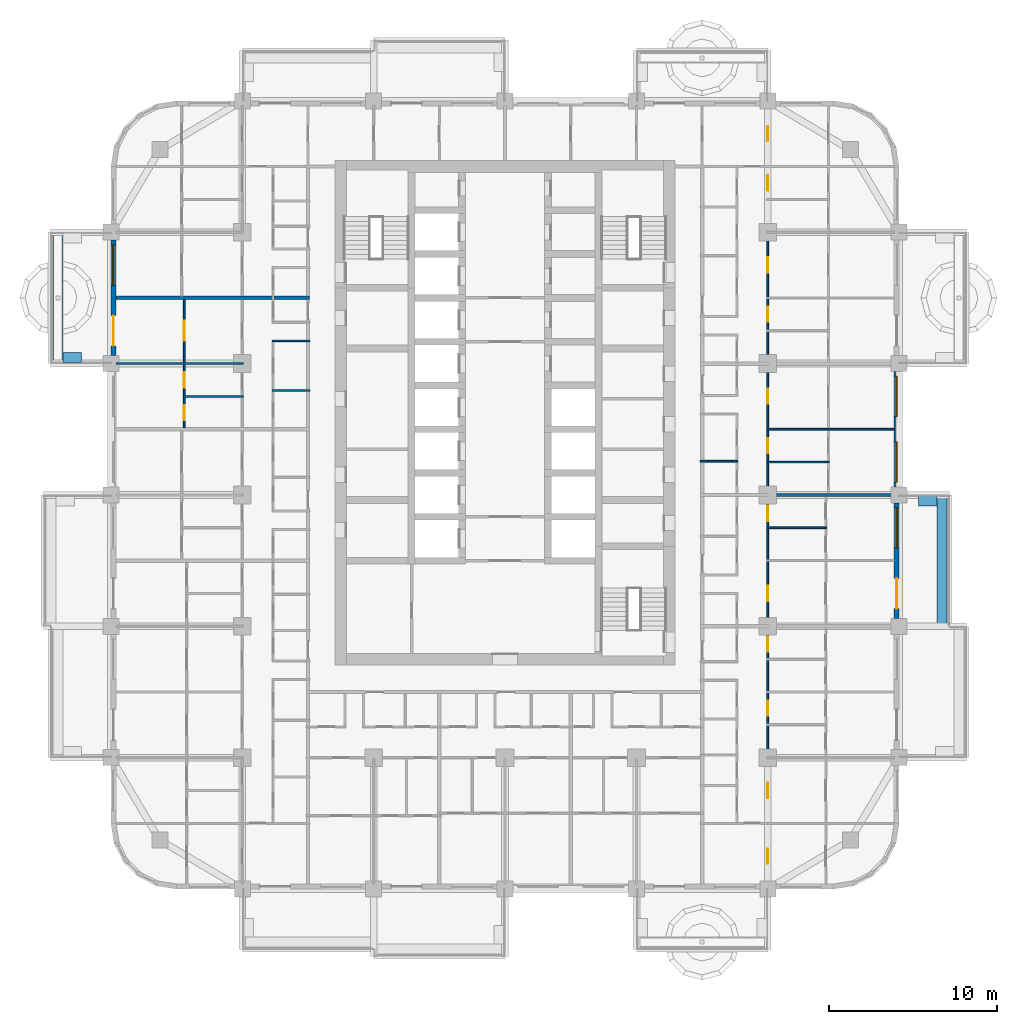
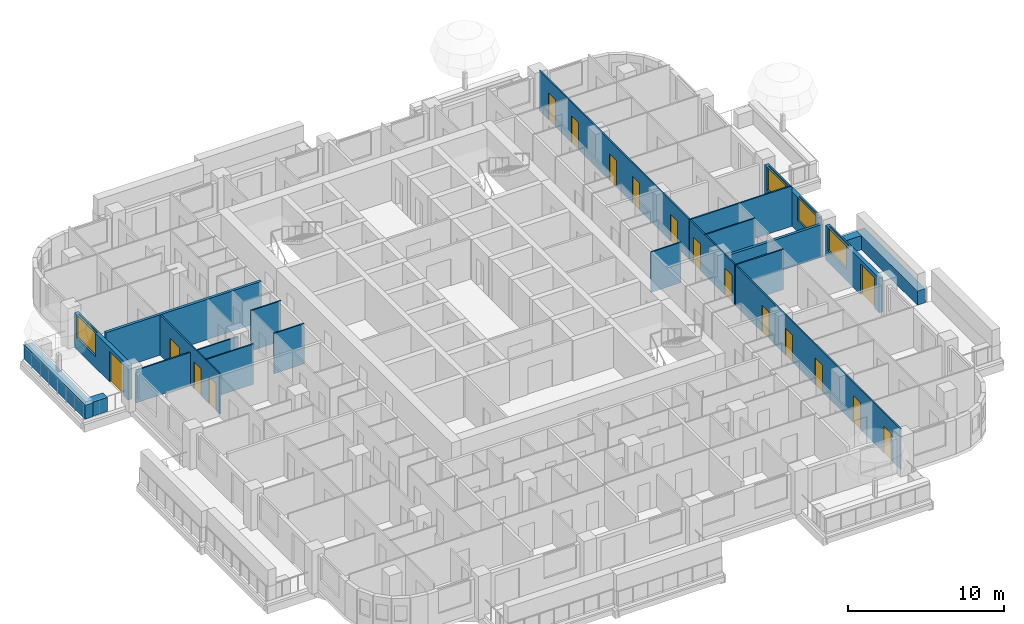
# One storey, part 9 of 19: 19 walls, 17 doors, 4 windows, 21 openings.
"""IFC4 building model written with IfcOpenShell, lengths in metres."""

from ifc_helpers import new_model, si_unit, direction, frame, frame_2d, origin, place, context, subcontext, project, spatial, rectangle, extrude, material, layer, layer_set, type_object, element, fill, save


model = new_model("IFC4")

# Units and contexts
model_context = context("Model", 3, precision=1e-05, world=origin(), true_north=direction((0.0, 1.0)))
body_context = subcontext(model_context, "Body", "Model", "MODEL_VIEW")
ifc_project = project(units=[si_unit("LENGTHUNIT", "METRE"), si_unit("AREAUNIT", "SQUARE_METRE"), si_unit("VOLUMEUNIT", "CUBIC_METRE"), si_unit("PLANEANGLEUNIT", "RADIAN"), si_unit("MASSUNIT", "GRAM", prefix="KILO")], contexts=[model_context])

# Site, building, storey
site_placement = place(None, origin())
site = spatial("IfcSite", under=ifc_project, at=site_placement, CompositionType="ELEMENT")
building_placement = place(site_placement, origin())
building = spatial("IfcBuilding", under=site, at=building_placement, Name="Ludao Terraces", CompositionType="ELEMENT")
storey_placement = place(building_placement, frame((0.0, 0.0, 68.199951171875)))
storey = spatial("IfcBuildingStorey", under=building, at=storey_placement, Name="L18", CompositionType="ELEMENT", Elevation=68.199951171875)

# Walls
ifc_material_1 = material(Name="Concrete C40", Category="concrete")
ifc_layer_1 = layer(ifc_material_1, 0.60009765625)
ifc_layer_set_1 = layer_set([ifc_layer_1], Name="ENV Planter trough 600")
wall_type_1 = type_object("IfcWallType", Name="ENV Planter trough 600", PredefinedType="USERDEFINED", material=ifc_layer_set_1)
wall_1_placement = place(storey_placement, frame((110.949951171875, 57.199951171875, 0.0), z_axis=(0.0, 0.0, 1.0), x_axis=(0.0, 1.0, 0.0)))
element("IfcWall", 1, at=wall_1_placement, inside=storey, type_object=wall_type_1, Name="PL-L18-E2", ObjectType="PLANTER", PredefinedType="USERDEFINED", context=body_context, shape_type="SweptSolid", body=[
    extrude(rectangle(XDim=7.800048828125, YDim=0.60009765625, at=frame_2d((3.89990234375, 0.0))), origin(), (0.0, 0.0, 1.0), 1.10009765625),
])
wall_2_placement = place(storey_placement, frame((110.64990234375, 64.64990234375, 0.0), z_axis=(0.0, 0.0, 1.0), x_axis=(-1.0, 0.0, 0.0)))
element("IfcWall", 2, at=wall_2_placement, inside=storey, type_object=wall_type_1, Name="PL-L18-E2-SB", ObjectType="PLANTER", PredefinedType="USERDEFINED", context=body_context, shape_type="SweptSolid", body=[
    extrude(rectangle(XDim=1.099853515625, YDim=0.60009765625, at=frame_2d((0.5498046875, 0.0))), origin(), (0.0, 0.0, 1.0), 1.10009765625),
])
wall_3_placement = place(storey_placement, frame((58.449951171875, 72.800048828125, 0.0), z_axis=(0.0, 0.0, 1.0), x_axis=(0.0, 1.0, 0.0)))
element("IfcWall", 3, at=wall_3_placement, inside=storey, type_object=wall_type_1, Name="PL-L18-W4", ObjectType="PLANTER", PredefinedType="USERDEFINED", context=body_context, shape_type="SweptSolid", body=[
    extrude(rectangle(XDim=7.800048828125, YDim=0.60009765625, at=frame_2d((3.89990234375, 0.0))), origin(), (0.0, 0.0, 1.0), 1.10009765625),
])
wall_4_placement = place(storey_placement, frame((58.75, 73.14990234375, 0.0), z_axis=(0.0, 0.0, 1.0), x_axis=(1.0, 0.0, 0.0)))
element("IfcWall", 4, at=wall_4_placement, inside=storey, type_object=wall_type_1, Name="PL-L18-W4-SA", ObjectType="PLANTER", PredefinedType="USERDEFINED", context=body_context, shape_type="SweptSolid", body=[
    extrude(rectangle(XDim=1.10009765625, YDim=0.60009765625, at=frame_2d((0.550048828125, 0.0))), origin(), (0.0, 0.0, 1.0), 1.10009765625),
])

# Wall, openings, door, window
ifc_material_2 = material(Name="Granite cladding", Category="masonry")
ifc_layer_2 = layer(ifc_material_2, 0.0400390625, Category="stone")
ifc_material_3 = material(Name="Mineral wool")
ifc_layer_3 = layer(ifc_material_3, 0.06005859375)
ifc_layer_4 = layer(ifc_material_1, 0.199951171875, Category="concrete")
ifc_layer_set_2 = layer_set([ifc_layer_2, ifc_layer_3, ifc_layer_4], Name="ENV Stone-clad wall 300")
wall_type_2 = type_object("IfcWallType", Name="ENV Stone-clad wall 300", PredefinedType="SOLIDWALL", material=ifc_layer_set_2)
wall_5_placement = place(storey_placement, frame((108.25, 57.675048828125, 0.0), z_axis=(0.0, 0.0, 1.0), x_axis=(0.0, 1.0, 0.0)))
wall_5 = element("IfcWall", 5, at=wall_5_placement, inside=storey, type_object=wall_type_2, Name="EW-L18-E3", PredefinedType="SOLIDWALL", context=body_context, shape_type="SweptSolid", body=[
    extrude(rectangle(XDim=6.849853515625, YDim=0.300048828125, at=frame_2d((3.4248046875, 0.0))), origin(), (0.0, 0.0, 1.0), 2.699951171875),
])
opening_1_placement = place(wall_5_placement, frame((0.574951171875, 0.0, 0.0)))
opening_1 = element("IfcOpeningElement", 6, at=opening_1_placement, cuts=wall_5, Name="Opening BD", PredefinedType="OPENING", context=body_context, shape_type="SweptSolid", body=[
    extrude(rectangle(XDim=1.800048828125, YDim=2.39990234375, at=frame_2d((0.89990234375, 1.199951171875))), frame((0.0, 0.16015625, 0.0), z_axis=(0.0, -1.0, 0.0), x_axis=(1.0, 0.0, 0.0)), (0.0, 0.0, 1.0), 0.320068359375),
])
opening_2_placement = place(wall_5_placement, frame((4.175048828125, 0.0, 0.89990234375)))
opening_2 = element("IfcOpeningElement", 7, at=opening_2_placement, cuts=wall_5, Name="Opening W1", PredefinedType="OPENING", context=body_context, shape_type="SweptSolid", body=[
    extrude(rectangle(XDim=2.39990234375, YDim=1.800048828125, at=frame_2d((1.199951171875, 0.89990234375))), frame((0.0, 0.16015625, 0.0), z_axis=(0.0, -1.0, 0.0), x_axis=(1.0, 0.0, 0.0)), (0.0, 0.0, 1.0), 0.320068359375),
])
ifc_material_4 = material(Name="Aluminium glazed door", Category="aluminium")
ifc_layer_5 = layer(ifc_material_4, 0.06005859375)
ifc_layer_set_3 = layer_set([ifc_layer_5], Name="ENV Balcony door BD 1800x2400")
door_type_1 = type_object("IfcDoorType", Name="ENV Balcony door BD 1800x2400", OperationType="DOUBLE_DOOR_SINGLE_SWING", PredefinedType="DOOR", material=ifc_layer_set_3)
door_1_placement = place(opening_1_placement, origin())
door_1 = element("IfcDoor", 8, at=door_1_placement, inside=storey, type_object=door_type_1, Name="BD-L18-E3-1", OperationType="DOUBLE_DOOR_SINGLE_SWING", OverallHeight=2.39990234375, OverallWidth=1.800048828125, PredefinedType="DOOR", context=body_context, shape_type="SweptSolid", body=[
    extrude(rectangle(XDim=1.800048828125, YDim=2.39990234375, at=frame_2d((0.89990234375, 1.199951171875))), frame((0.0, 0.02490234375, 0.0), z_axis=(0.0, -1.0, 0.0), x_axis=(1.0, 0.0, 0.0)), (0.0, 0.0, 1.0), 0.050048828125),
])
fill(opening_1, door_1)
ifc_material_5 = material(Name="Clear glass in aluminium frame", Category="aluminium")
ifc_layer_6 = layer(ifc_material_5, 0.06005859375)
ifc_layer_set_4 = layer_set([ifc_layer_6], Name="ENV Window W1 2400x1800")
window_type = type_object("IfcWindowType", Name="ENV Window W1 2400x1800", PartitioningType="DOUBLE_PANEL_VERTICAL", PredefinedType="WINDOW", material=ifc_layer_set_4)
window_1_placement = place(opening_2_placement, origin())
window_1 = element("IfcWindow", 9, at=window_1_placement, inside=storey, type_object=window_type, Name="W-L18-E3-2", OverallHeight=1.800048828125, OverallWidth=2.39990234375, PartitioningType="DOUBLE_PANEL_VERTICAL", PredefinedType="WINDOW", context=body_context, shape_type="SweptSolid", body=[
    extrude(rectangle(XDim=2.39990234375, YDim=1.800048828125, at=frame_2d((1.199951171875, 0.89990234375))), frame((0.0, 0.030029296875, 0.0), z_axis=(0.0, -1.0, 0.0), x_axis=(1.0, 0.0, 0.0)), (0.0, 0.0, 1.0), 0.06005859375),
])
fill(opening_2, window_1)

# Wall, openings, windows
wall_6_placement = place(storey_placement, frame((108.25, 65.47509765625, 0.0), z_axis=(0.0, 0.0, 1.0), x_axis=(0.0, 1.0, 0.0)))
wall_6 = element("IfcWall", 10, at=wall_6_placement, inside=storey, type_object=wall_type_2, Name="EW-L18-E4", PredefinedType="SOLIDWALL", context=body_context, shape_type="SweptSolid", body=[
    extrude(rectangle(XDim=6.849853515625, YDim=0.300048828125, at=frame_2d((3.4248046875, 0.0))), origin(), (0.0, 0.0, 1.0), 2.699951171875),
])
opening_3_placement = place(wall_6_placement, frame((0.27490234375, 0.0, 0.89990234375)))
opening_3 = element("IfcOpeningElement", 11, at=opening_3_placement, cuts=wall_6, Name="Opening W1", PredefinedType="OPENING", context=body_context, shape_type="SweptSolid", body=[
    extrude(rectangle(XDim=2.39990234375, YDim=1.800048828125, at=frame_2d((1.199951171875, 0.89990234375))), frame((0.0, 0.16015625, 0.0), z_axis=(0.0, -1.0, 0.0), x_axis=(1.0, 0.0, 0.0)), (0.0, 0.0, 1.0), 0.320068359375),
])
opening_4_placement = place(wall_6_placement, frame((4.175048828125, 0.0, 0.89990234375)))
opening_4 = element("IfcOpeningElement", 12, at=opening_4_placement, cuts=wall_6, Name="Opening W1", PredefinedType="OPENING", context=body_context, shape_type="SweptSolid", body=[
    extrude(rectangle(XDim=2.39990234375, YDim=1.800048828125, at=frame_2d((1.199951171875, 0.89990234375))), frame((0.0, 0.16015625, 0.0), z_axis=(0.0, -1.0, 0.0), x_axis=(1.0, 0.0, 0.0)), (0.0, 0.0, 1.0), 0.320068359375),
])
window_2_placement = place(opening_3_placement, origin())
window_2 = element("IfcWindow", 13, at=window_2_placement, inside=storey, type_object=window_type, Name="W-L18-E4-1", OverallHeight=1.800048828125, OverallWidth=2.39990234375, PartitioningType="DOUBLE_PANEL_VERTICAL", PredefinedType="WINDOW", context=body_context, shape_type="SweptSolid", body=[
    extrude(rectangle(XDim=2.39990234375, YDim=1.800048828125, at=frame_2d((1.199951171875, 0.89990234375))), frame((0.0, 0.030029296875, 0.0), z_axis=(0.0, -1.0, 0.0), x_axis=(1.0, 0.0, 0.0)), (0.0, 0.0, 1.0), 0.06005859375),
])
fill(opening_3, window_2)
window_3_placement = place(opening_4_placement, origin())
window_3 = element("IfcWindow", 14, at=window_3_placement, inside=storey, type_object=window_type, Name="W-L18-E4-2", OverallHeight=1.800048828125, OverallWidth=2.39990234375, PartitioningType="DOUBLE_PANEL_VERTICAL", PredefinedType="WINDOW", context=body_context, shape_type="SweptSolid", body=[
    extrude(rectangle(XDim=2.39990234375, YDim=1.800048828125, at=frame_2d((1.199951171875, 0.89990234375))), frame((0.0, 0.030029296875, 0.0), z_axis=(0.0, -1.0, 0.0), x_axis=(1.0, 0.0, 0.0)), (0.0, 0.0, 1.0), 0.06005859375),
])
fill(opening_4, window_3)

# Wall, openings, door, window
wall_7_placement = place(storey_placement, frame((61.75, 73.27490234375, 0.0), z_axis=(0.0, 0.0, 1.0), x_axis=(0.0, 1.0, 0.0)))
wall_7 = element("IfcWall", 15, at=wall_7_placement, inside=storey, type_object=wall_type_2, Name="EW-L18-W5", PredefinedType="SOLIDWALL", context=body_context, shape_type="SweptSolid", body=[
    extrude(rectangle(XDim=6.85009765625, YDim=0.300048828125, at=frame_2d((3.425048828125, 0.0))), origin(), (0.0, 0.0, 1.0), 2.699951171875),
])
opening_5_placement = place(wall_7_placement, frame((0.574951171875, 0.0, 0.0)))
opening_5 = element("IfcOpeningElement", 16, at=opening_5_placement, cuts=wall_7, Name="Opening BD", PredefinedType="OPENING", context=body_context, shape_type="SweptSolid", body=[
    extrude(rectangle(XDim=1.800048828125, YDim=2.39990234375, at=frame_2d((0.89990234375, 1.199951171875))), frame((0.0, 0.16015625, 0.0), z_axis=(0.0, -1.0, 0.0), x_axis=(1.0, 0.0, 0.0)), (0.0, 0.0, 1.0), 0.320068359375),
])
opening_6_placement = place(wall_7_placement, frame((4.175048828125, 0.0, 0.89990234375)))
opening_6 = element("IfcOpeningElement", 17, at=opening_6_placement, cuts=wall_7, Name="Opening W1", PredefinedType="OPENING", context=body_context, shape_type="SweptSolid", body=[
    extrude(rectangle(XDim=2.39990234375, YDim=1.800048828125, at=frame_2d((1.199951171875, 0.89990234375))), frame((0.0, 0.16015625, 0.0), z_axis=(0.0, -1.0, 0.0), x_axis=(1.0, 0.0, 0.0)), (0.0, 0.0, 1.0), 0.320068359375),
])
door_2_placement = place(opening_5_placement, origin())
door_2 = element("IfcDoor", 18, at=door_2_placement, inside=storey, type_object=door_type_1, Name="BD-L18-W5-1", OperationType="DOUBLE_DOOR_SINGLE_SWING", OverallHeight=2.39990234375, OverallWidth=1.800048828125, PredefinedType="DOOR", context=body_context, shape_type="SweptSolid", body=[
    extrude(rectangle(XDim=1.800048828125, YDim=2.39990234375, at=frame_2d((0.89990234375, 1.199951171875))), frame((0.0, 0.02490234375, 0.0), z_axis=(0.0, -1.0, 0.0), x_axis=(1.0, 0.0, 0.0)), (0.0, 0.0, 1.0), 0.050048828125),
])
fill(opening_5, door_2)
window_4_placement = place(opening_6_placement, origin())
window_4 = element("IfcWindow", 19, at=window_4_placement, inside=storey, type_object=window_type, Name="W-L18-W5-2", OverallHeight=1.800048828125, OverallWidth=2.39990234375, PartitioningType="DOUBLE_PANEL_VERTICAL", PredefinedType="WINDOW", context=body_context, shape_type="SweptSolid", body=[
    extrude(rectangle(XDim=2.39990234375, YDim=1.800048828125, at=frame_2d((1.199951171875, 0.89990234375))), frame((0.0, 0.030029296875, 0.0), z_axis=(0.0, -1.0, 0.0), x_axis=(1.0, 0.0, 0.0)), (0.0, 0.0, 1.0), 0.06005859375),
])
fill(opening_6, window_4)

# Walls
ifc_material_6 = material(Name="Gypsum plasterboard", Category="gypsum")
ifc_layer_7 = layer(ifc_material_6, 0.012451171875, Category="gypsum")
ifc_layer_8 = layer(ifc_material_3, 0.06005859375, Name="insulation")
ifc_material_7 = material(Name="Steel Q235", Category="steel")
ifc_layer_9 = layer(ifc_material_7, 0.014892578125, Name="stud")
ifc_layer_10 = layer(ifc_material_6, 0.012451171875, Category="gypsum")
ifc_layer_set_5 = layer_set([ifc_layer_7, ifc_layer_8, ifc_layer_9, ifc_layer_10], Name="INT Partition 100")
wall_type_3 = type_object("IfcWallType", Name="INT Partition 100", PredefinedType="PARTITIONING", material=ifc_layer_set_5)
wall_8_placement = place(storey_placement, frame((100.550048828125, 63.050048828125, 0.0), z_axis=(0.0, 0.0, 1.0), x_axis=(1.0, 0.0, 0.0)))
element("IfcWall", 20, at=wall_8_placement, inside=storey, type_object=wall_type_3, Name="PW-L18-PW039", PredefinedType="PARTITIONING", context=body_context, shape_type="SweptSolid", body=[
    extrude(rectangle(XDim=3.550048828125, YDim=0.10009765625, at=frame_2d((1.77490234375, 0.0))), origin(), (0.0, 0.0, 1.0), 3.150146484375),
])
wall_9_placement = place(storey_placement, frame((100.550048828125, 66.949951171875, 0.0), z_axis=(0.0, 0.0, 1.0), x_axis=(1.0, 0.0, 0.0)))
element("IfcWall", 21, at=wall_9_placement, inside=storey, type_object=wall_type_3, Name="PW-L18-PW045", PredefinedType="PARTITIONING", context=body_context, shape_type="SweptSolid", body=[
    extrude(rectangle(XDim=3.699951171875, YDim=0.10009765625, at=frame_2d((1.85009765625, 0.0))), origin(), (0.0, 0.0, 1.0), 3.150146484375),
])
wall_10_placement = place(storey_placement, frame((96.60009765625, 67.0, 0.0), z_axis=(0.0, 0.0, 1.0), x_axis=(1.0, 0.0, 0.0)))
element("IfcWall", 22, at=wall_10_placement, inside=storey, type_object=wall_type_3, Name="PW-L18-PW046", PredefinedType="PARTITIONING", context=body_context, shape_type="SweptSolid", body=[
    extrude(rectangle(XDim=2.219970703125, YDim=0.10009765625, at=frame_2d((1.10986328125, 0.0))), origin(), (0.0, 0.0, 1.0), 3.150146484375),
])
wall_11_placement = place(storey_placement, frame((100.550048828125, 68.89990234375, 0.0), z_axis=(0.0, 0.0, 1.0), x_axis=(1.0, 0.0, 0.0)))
element("IfcWall", 23, at=wall_11_placement, inside=storey, type_object=wall_type_3, Name="PW-L18-PW050", PredefinedType="PARTITIONING", context=body_context, shape_type="SweptSolid", body=[
    extrude(rectangle(XDim=7.550048828125, YDim=0.10009765625, at=frame_2d((3.77490234375, 0.0))), origin(), (0.0, 0.0, 1.0), 3.150146484375),
])
wall_12_placement = place(storey_placement, frame((65.900146484375, 70.85009765625, 0.0), z_axis=(0.0, 0.0, 1.0), x_axis=(1.0, 0.0, 0.0)))
element("IfcWall", 24, at=wall_12_placement, inside=storey, type_object=wall_type_3, Name="PW-L18-PW053", PredefinedType="PARTITIONING", context=body_context, shape_type="SweptSolid", body=[
    extrude(rectangle(XDim=3.550048828125, YDim=0.10009765625, at=frame_2d((1.77490234375, 0.0))), origin(), (0.0, 0.0, 1.0), 3.150146484375),
])
wall_13_placement = place(storey_placement, frame((71.18017578125, 71.199951171875, 0.0), z_axis=(0.0, 0.0, 1.0), x_axis=(1.0, 0.0, 0.0)))
element("IfcWall", 25, at=wall_13_placement, inside=storey, type_object=wall_type_3, Name="PW-L18-PW055", PredefinedType="PARTITIONING", context=body_context, shape_type="SweptSolid", body=[
    extrude(rectangle(XDim=2.219970703125, YDim=0.10009765625, at=frame_2d((1.10986328125, 0.0))), origin(), (0.0, 0.0, 1.0), 3.150146484375),
])
wall_14_placement = place(storey_placement, frame((61.900146484375, 72.800048828125, 0.0), z_axis=(0.0, 0.0, 1.0), x_axis=(1.0, 0.0, 0.0)))
element("IfcWall", 26, at=wall_14_placement, inside=storey, type_object=wall_type_3, Name="PW-L18-PW056", PredefinedType="PARTITIONING", context=body_context, shape_type="SweptSolid", body=[
    extrude(rectangle(XDim=7.550048828125, YDim=0.10009765625, at=frame_2d((3.77490234375, 0.0))), origin(), (0.0, 0.0, 1.0), 2.550048828125),
])
wall_15_placement = place(storey_placement, frame((71.18017578125, 74.14990234375, 0.0), z_axis=(0.0, 0.0, 1.0), x_axis=(1.0, 0.0, 0.0)))
element("IfcWall", 27, at=wall_15_placement, inside=storey, type_object=wall_type_3, Name="PW-L18-PW059", PredefinedType="PARTITIONING", context=body_context, shape_type="SweptSolid", body=[
    extrude(rectangle(XDim=2.219970703125, YDim=0.10009765625, at=frame_2d((1.10986328125, 0.0))), origin(), (0.0, 0.0, 1.0), 3.150146484375),
])

# Wall, openings, doors
wall_16_placement = place(storey_placement, frame((65.949951171875, 69.0, 0.0), z_axis=(0.0, 0.0, 1.0), x_axis=(0.0, 1.0, 0.0)))
wall_16 = element("IfcWall", 28, at=wall_16_placement, inside=storey, type_object=wall_type_3, Name="PW-L18-PW083", PredefinedType="PARTITIONING", context=body_context, shape_type="SweptSolid", body=[
    extrude(rectangle(XDim=7.60009765625, YDim=0.10009765625, at=frame_2d((3.800048828125, 0.0))), origin(), (0.0, 0.0, 1.0), 3.150146484375),
])
opening_7_placement = place(wall_16_placement, frame((0.425048828125, 0.0, 0.0)))
opening_7 = element("IfcOpeningElement", 29, at=opening_7_placement, cuts=wall_16, Name="Opening R05-102", PredefinedType="OPENING", context=body_context, shape_type="SweptSolid", body=[
    extrude(rectangle(XDim=0.89990234375, YDim=2.10009765625, at=frame_2d((0.449951171875, 1.050048828125))), frame((0.0, 0.06005859375, 0.0), z_axis=(0.0, -1.0, 0.0), x_axis=(1.0, 0.0, 0.0)), (0.0, 0.0, 1.0), 0.1201171875),
])
opening_8_placement = place(wall_16_placement, frame((2.375, 0.0, 0.0)))
opening_8 = element("IfcOpeningElement", 30, at=opening_8_placement, cuts=wall_16, Name="Opening R05-110", PredefinedType="OPENING", context=body_context, shape_type="SweptSolid", body=[
    extrude(rectangle(XDim=0.89990234375, YDim=2.10009765625, at=frame_2d((0.449951171875, 1.050048828125))), frame((0.0, 0.06005859375, 0.0), z_axis=(0.0, -1.0, 0.0), x_axis=(1.0, 0.0, 0.0)), (0.0, 0.0, 1.0), 0.1201171875),
])
opening_9_placement = place(wall_16_placement, frame((5.150146484375, 0.0, 0.0)))
opening_9 = element("IfcOpeningElement", 31, at=opening_9_placement, cuts=wall_16, Name="Opening R05-119", PredefinedType="OPENING", context=body_context, shape_type="SweptSolid", body=[
    extrude(rectangle(XDim=1.199951171875, YDim=2.10009765625, at=frame_2d((0.60009765625, 1.050048828125))), frame((0.0, 0.06005859375, 0.0), z_axis=(0.0, -1.0, 0.0), x_axis=(1.0, 0.0, 0.0)), (0.0, 0.0, 1.0), 0.1201171875),
])
ifc_material_8 = material(Name="Timber door leaf", Category="wood")
door_type_2 = type_object("IfcDoorType", Name="INT Bathroom door 900", OperationType="SINGLE_SWING_LEFT", PredefinedType="DOOR", material=ifc_material_8)
door_3_placement = place(opening_7_placement, origin())
door_3 = element("IfcDoor", 32, at=door_3_placement, inside=storey, type_object=door_type_2, Name="DOOR 102", OperationType="SINGLE_SWING_RIGHT", OverallHeight=2.10009765625, OverallWidth=0.89990234375, PredefinedType="DOOR", context=body_context, shape_type="SweptSolid", body=[
    extrude(rectangle(XDim=0.89990234375, YDim=2.10009765625, at=frame_2d((0.449951171875, 1.050048828125))), frame((0.0, 0.02490234375, 0.0), z_axis=(0.0, -1.0, 0.0), x_axis=(1.0, 0.0, 0.0)), (0.0, 0.0, 1.0), 0.050048828125),
])
fill(opening_7, door_3)
door_type_3 = type_object("IfcDoorType", Name="INT Double door 1200", OperationType="DOUBLE_DOOR_SINGLE_SWING", PredefinedType="DOOR", material=ifc_material_8)
door_4_placement = place(opening_9_placement, origin())
door_4 = element("IfcDoor", 33, at=door_4_placement, inside=storey, type_object=door_type_3, Name="DOOR 119", OperationType="DOUBLE_DOOR_SINGLE_SWING", OverallHeight=2.10009765625, OverallWidth=1.199951171875, PredefinedType="DOOR", context=body_context, shape_type="SweptSolid", body=[
    extrude(rectangle(XDim=1.199951171875, YDim=2.10009765625, at=frame_2d((0.60009765625, 1.050048828125))), frame((0.0, 0.02490234375, 0.0), z_axis=(0.0, -1.0, 0.0), x_axis=(1.0, 0.0, 0.0)), (0.0, 0.0, 1.0), 0.050048828125),
])
fill(opening_9, door_4)
door_type_4 = type_object("IfcDoorType", Name="INT Room door 900", OperationType="SINGLE_SWING_LEFT", PredefinedType="DOOR", material=ifc_material_8)
door_5_placement = place(opening_8_placement, origin())
door_5 = element("IfcDoor", 34, at=door_5_placement, inside=storey, type_object=door_type_4, Name="DOOR 110", OperationType="SINGLE_SWING_RIGHT", OverallHeight=2.10009765625, OverallWidth=0.89990234375, PredefinedType="DOOR", context=body_context, shape_type="SweptSolid", body=[
    extrude(rectangle(XDim=0.89990234375, YDim=2.10009765625, at=frame_2d((0.449951171875, 1.050048828125))), frame((0.0, 0.02490234375, 0.0), z_axis=(0.0, -1.0, 0.0), x_axis=(1.0, 0.0, 0.0)), (0.0, 0.0, 1.0), 0.050048828125),
])
fill(opening_8, door_5)

wall_17_placement = place(storey_placement, frame((100.60009765625, 41.900146484375, 0.0), z_axis=(0.0, 0.0, 1.0), x_axis=(0.0, 1.0, 0.0)))
wall_17 = element("IfcWall", 35, at=wall_17_placement, inside=storey, type_object=wall_type_3, Name="PW-L18-PW125", PredefinedType="PARTITIONING", context=body_context, shape_type="SweptSolid", body=[
    extrude(rectangle(XDim=46.199951171875, YDim=0.10009765625, at=frame_2d((23.10009765625, 0.0))), origin(), (0.0, 0.0, 1.0), 3.150146484375),
])
opening_10_placement = place(wall_17_placement, frame((1.199951171875, 0.0, 0.0)))
opening_10 = element("IfcOpeningElement", 36, at=opening_10_placement, cuts=wall_17, Name="Opening R05-003", PredefinedType="OPENING", context=body_context, shape_type="SweptSolid", body=[
    extrude(rectangle(XDim=0.89990234375, YDim=2.10009765625, at=frame_2d((0.449951171875, 1.050048828125))), frame((0.0, 0.06005859375, 0.0), z_axis=(0.0, -1.0, 0.0), x_axis=(1.0, 0.0, 0.0)), (0.0, 0.0, 1.0), 0.1201171875),
])
opening_11_placement = place(wall_17_placement, frame((5.10009765625, 0.0, 0.0)))
opening_11 = element("IfcOpeningElement", 37, at=opening_11_placement, cuts=wall_17, Name="Opening R05-019", PredefinedType="OPENING", context=body_context, shape_type="SweptSolid", body=[
    extrude(rectangle(XDim=0.89990234375, YDim=2.10009765625, at=frame_2d((0.449951171875, 1.050048828125))), frame((0.0, 0.06005859375, 0.0), z_axis=(0.0, -1.0, 0.0), x_axis=(1.0, 0.0, 0.0)), (0.0, 0.0, 1.0), 0.1201171875),
])
opening_12_placement = place(wall_17_placement, frame((9.97509765625, 0.0, 0.0)))
opening_12 = element("IfcOpeningElement", 38, at=opening_12_placement, cuts=wall_17, Name="Opening R05-044", PredefinedType="OPENING", context=body_context, shape_type="SweptSolid", body=[
    extrude(rectangle(XDim=0.89990234375, YDim=2.10009765625, at=frame_2d((0.449951171875, 1.050048828125))), frame((0.0, 0.06005859375, 0.0), z_axis=(0.0, -1.0, 0.0), x_axis=(1.0, 0.0, 0.0)), (0.0, 0.0, 1.0), 0.1201171875),
])
opening_13_placement = place(wall_17_placement, frame((13.77490234375, 0.0, 0.0)))
opening_13 = element("IfcOpeningElement", 39, at=opening_13_placement, cuts=wall_17, Name="Opening R05-058", PredefinedType="OPENING", context=body_context, shape_type="SweptSolid", body=[
    extrude(rectangle(XDim=0.89990234375, YDim=2.10009765625, at=frame_2d((0.449951171875, 1.050048828125))), frame((0.0, 0.06005859375, 0.0), z_axis=(0.0, -1.0, 0.0), x_axis=(1.0, 0.0, 0.0)), (0.0, 0.0, 1.0), 0.1201171875),
])
opening_14_placement = place(wall_17_placement, frame((16.800048828125, 0.0, 0.0)))
opening_14 = element("IfcOpeningElement", 40, at=opening_14_placement, cuts=wall_17, Name="Opening R05-067", PredefinedType="OPENING", context=body_context, shape_type="SweptSolid", body=[
    extrude(rectangle(XDim=0.89990234375, YDim=2.10009765625, at=frame_2d((0.449951171875, 1.050048828125))), frame((0.0, 0.06005859375, 0.0), z_axis=(0.0, -1.0, 0.0), x_axis=(1.0, 0.0, 0.0)), (0.0, 0.0, 1.0), 0.1201171875),
])
opening_15_placement = place(wall_17_placement, frame((21.550048828125, 0.0, 0.0)))
opening_15 = element("IfcOpeningElement", 41, at=opening_15_placement, cuts=wall_17, Name="Opening R05-084", PredefinedType="OPENING", context=body_context, shape_type="SweptSolid", body=[
    extrude(rectangle(XDim=0.89990234375, YDim=2.10009765625, at=frame_2d((0.449951171875, 1.050048828125))), frame((0.0, 0.06005859375, 0.0), z_axis=(0.0, -1.0, 0.0), x_axis=(1.0, 0.0, 0.0)), (0.0, 0.0, 1.0), 0.1201171875),
])
opening_16_placement = place(wall_17_placement, frame((25.574951171875, 0.0, 0.0)))
opening_16 = element("IfcOpeningElement", 42, at=opening_16_placement, cuts=wall_17, Name="Opening R05-098", PredefinedType="OPENING", context=body_context, shape_type="SweptSolid", body=[
    extrude(rectangle(XDim=0.89990234375, YDim=2.10009765625, at=frame_2d((0.449951171875, 1.050048828125))), frame((0.0, 0.06005859375, 0.0), z_axis=(0.0, -1.0, 0.0), x_axis=(1.0, 0.0, 0.0)), (0.0, 0.0, 1.0), 0.1201171875),
])
opening_17_placement = place(wall_17_placement, frame((28.5, 0.0, 0.0)))
opening_17 = element("IfcOpeningElement", 43, at=opening_17_placement, cuts=wall_17, Name="Opening R05-106", PredefinedType="OPENING", context=body_context, shape_type="SweptSolid", body=[
    extrude(rectangle(XDim=0.89990234375, YDim=2.10009765625, at=frame_2d((0.449951171875, 1.050048828125))), frame((0.0, 0.06005859375, 0.0), z_axis=(0.0, -1.0, 0.0), x_axis=(1.0, 0.0, 0.0)), (0.0, 0.0, 1.0), 0.1201171875),
])
opening_18_placement = place(wall_17_placement, frame((33.375, 0.0, 0.0)))
opening_18 = element("IfcOpeningElement", 44, at=opening_18_placement, cuts=wall_17, Name="Opening R05-125", PredefinedType="OPENING", context=body_context, shape_type="SweptSolid", body=[
    extrude(rectangle(XDim=0.89990234375, YDim=2.10009765625, at=frame_2d((0.449951171875, 1.050048828125))), frame((0.0, 0.06005859375, 0.0), z_axis=(0.0, -1.0, 0.0), x_axis=(1.0, 0.0, 0.0)), (0.0, 0.0, 1.0), 0.1201171875),
])
opening_19_placement = place(wall_17_placement, frame((36.300048828125, 0.0, 0.0)))
opening_19 = element("IfcOpeningElement", 45, at=opening_19_placement, cuts=wall_17, Name="Opening R05-139", PredefinedType="OPENING", context=body_context, shape_type="SweptSolid", body=[
    extrude(rectangle(XDim=0.89990234375, YDim=2.10009765625, at=frame_2d((0.449951171875, 1.050048828125))), frame((0.0, 0.06005859375, 0.0), z_axis=(0.0, -1.0, 0.0), x_axis=(1.0, 0.0, 0.0)), (0.0, 0.0, 1.0), 0.1201171875),
])
opening_20_placement = place(wall_17_placement, frame((41.175048828125, 0.0, 0.0)))
opening_20 = element("IfcOpeningElement", 46, at=opening_20_placement, cuts=wall_17, Name="Opening R05-155", PredefinedType="OPENING", context=body_context, shape_type="SweptSolid", body=[
    extrude(rectangle(XDim=0.89990234375, YDim=2.10009765625, at=frame_2d((0.449951171875, 1.050048828125))), frame((0.0, 0.06005859375, 0.0), z_axis=(0.0, -1.0, 0.0), x_axis=(1.0, 0.0, 0.0)), (0.0, 0.0, 1.0), 0.1201171875),
])
opening_21_placement = place(wall_17_placement, frame((44.10009765625, 0.0, 0.0)))
opening_21 = element("IfcOpeningElement", 47, at=opening_21_placement, cuts=wall_17, Name="Opening R05-167", PredefinedType="OPENING", context=body_context, shape_type="SweptSolid", body=[
    extrude(rectangle(XDim=0.89990234375, YDim=2.10009765625, at=frame_2d((0.449951171875, 1.050048828125))), frame((0.0, 0.06005859375, 0.0), z_axis=(0.0, -1.0, 0.0), x_axis=(1.0, 0.0, 0.0)), (0.0, 0.0, 1.0), 0.1201171875),
])
door_6_placement = place(opening_10_placement, origin())
door_6 = element("IfcDoor", 48, at=door_6_placement, inside=storey, type_object=door_type_4, Name="DOOR 003", OperationType="SINGLE_SWING_RIGHT", OverallHeight=2.10009765625, OverallWidth=0.89990234375, PredefinedType="DOOR", context=body_context, shape_type="SweptSolid", body=[
    extrude(rectangle(XDim=0.89990234375, YDim=2.10009765625, at=frame_2d((0.449951171875, 1.050048828125))), frame((0.0, 0.02490234375, 0.0), z_axis=(0.0, -1.0, 0.0), x_axis=(1.0, 0.0, 0.0)), (0.0, 0.0, 1.0), 0.050048828125),
])
fill(opening_10, door_6)
door_7_placement = place(opening_11_placement, origin())
door_7 = element("IfcDoor", 49, at=door_7_placement, inside=storey, type_object=door_type_4, Name="DOOR 019", OperationType="SINGLE_SWING_RIGHT", OverallHeight=2.10009765625, OverallWidth=0.89990234375, PredefinedType="DOOR", context=body_context, shape_type="SweptSolid", body=[
    extrude(rectangle(XDim=0.89990234375, YDim=2.10009765625, at=frame_2d((0.449951171875, 1.050048828125))), frame((0.0, 0.02490234375, 0.0), z_axis=(0.0, -1.0, 0.0), x_axis=(1.0, 0.0, 0.0)), (0.0, 0.0, 1.0), 0.050048828125),
])
fill(opening_11, door_7)
door_8_placement = place(opening_12_placement, origin())
door_8 = element("IfcDoor", 50, at=door_8_placement, inside=storey, type_object=door_type_4, Name="DOOR 044", OperationType="SINGLE_SWING_RIGHT", OverallHeight=2.10009765625, OverallWidth=0.89990234375, PredefinedType="DOOR", context=body_context, shape_type="SweptSolid", body=[
    extrude(rectangle(XDim=0.89990234375, YDim=2.10009765625, at=frame_2d((0.449951171875, 1.050048828125))), frame((0.0, 0.02490234375, 0.0), z_axis=(0.0, -1.0, 0.0), x_axis=(1.0, 0.0, 0.0)), (0.0, 0.0, 1.0), 0.050048828125),
])
fill(opening_12, door_8)
door_9_placement = place(opening_13_placement, origin())
door_9 = element("IfcDoor", 51, at=door_9_placement, inside=storey, type_object=door_type_4, Name="DOOR 058", OperationType="SINGLE_SWING_RIGHT", OverallHeight=2.10009765625, OverallWidth=0.89990234375, PredefinedType="DOOR", context=body_context, shape_type="SweptSolid", body=[
    extrude(rectangle(XDim=0.89990234375, YDim=2.10009765625, at=frame_2d((0.449951171875, 1.050048828125))), frame((0.0, 0.02490234375, 0.0), z_axis=(0.0, -1.0, 0.0), x_axis=(1.0, 0.0, 0.0)), (0.0, 0.0, 1.0), 0.050048828125),
])
fill(opening_13, door_9)
door_10_placement = place(opening_14_placement, origin())
door_10 = element("IfcDoor", 52, at=door_10_placement, inside=storey, type_object=door_type_4, Name="DOOR 067", OperationType="SINGLE_SWING_LEFT", OverallHeight=2.10009765625, OverallWidth=0.89990234375, PredefinedType="DOOR", context=body_context, shape_type="SweptSolid", body=[
    extrude(rectangle(XDim=0.89990234375, YDim=2.10009765625, at=frame_2d((0.449951171875, 1.050048828125))), frame((0.0, 0.02490234375, 0.0), z_axis=(0.0, -1.0, 0.0), x_axis=(1.0, 0.0, 0.0)), (0.0, 0.0, 1.0), 0.050048828125),
])
fill(opening_14, door_10)
door_11_placement = place(opening_15_placement, origin())
door_11 = element("IfcDoor", 53, at=door_11_placement, inside=storey, type_object=door_type_4, Name="DOOR 084", OperationType="SINGLE_SWING_RIGHT", OverallHeight=2.10009765625, OverallWidth=0.89990234375, PredefinedType="DOOR", context=body_context, shape_type="SweptSolid", body=[
    extrude(rectangle(XDim=0.89990234375, YDim=2.10009765625, at=frame_2d((0.449951171875, 1.050048828125))), frame((0.0, 0.02490234375, 0.0), z_axis=(0.0, -1.0, 0.0), x_axis=(1.0, 0.0, 0.0)), (0.0, 0.0, 1.0), 0.050048828125),
])
fill(opening_15, door_11)
door_12_placement = place(opening_16_placement, origin())
door_12 = element("IfcDoor", 54, at=door_12_placement, inside=storey, type_object=door_type_4, Name="DOOR 098", OperationType="SINGLE_SWING_RIGHT", OverallHeight=2.10009765625, OverallWidth=0.89990234375, PredefinedType="DOOR", context=body_context, shape_type="SweptSolid", body=[
    extrude(rectangle(XDim=0.89990234375, YDim=2.10009765625, at=frame_2d((0.449951171875, 1.050048828125))), frame((0.0, 0.02490234375, 0.0), z_axis=(0.0, -1.0, 0.0), x_axis=(1.0, 0.0, 0.0)), (0.0, 0.0, 1.0), 0.050048828125),
])
fill(opening_16, door_12)
door_13_placement = place(opening_17_placement, origin())
door_13 = element("IfcDoor", 55, at=door_13_placement, inside=storey, type_object=door_type_4, Name="DOOR 106", OperationType="SINGLE_SWING_RIGHT", OverallHeight=2.10009765625, OverallWidth=0.89990234375, PredefinedType="DOOR", context=body_context, shape_type="SweptSolid", body=[
    extrude(rectangle(XDim=0.89990234375, YDim=2.10009765625, at=frame_2d((0.449951171875, 1.050048828125))), frame((0.0, 0.02490234375, 0.0), z_axis=(0.0, -1.0, 0.0), x_axis=(1.0, 0.0, 0.0)), (0.0, 0.0, 1.0), 0.050048828125),
])
fill(opening_17, door_13)
door_14_placement = place(opening_18_placement, origin())
door_14 = element("IfcDoor", 56, at=door_14_placement, inside=storey, type_object=door_type_4, Name="DOOR 125", OperationType="SINGLE_SWING_LEFT", OverallHeight=2.10009765625, OverallWidth=0.89990234375, PredefinedType="DOOR", context=body_context, shape_type="SweptSolid", body=[
    extrude(rectangle(XDim=0.89990234375, YDim=2.10009765625, at=frame_2d((0.449951171875, 1.050048828125))), frame((0.0, 0.02490234375, 0.0), z_axis=(0.0, -1.0, 0.0), x_axis=(1.0, 0.0, 0.0)), (0.0, 0.0, 1.0), 0.050048828125),
])
fill(opening_18, door_14)
door_15_placement = place(opening_19_placement, origin())
door_15 = element("IfcDoor", 57, at=door_15_placement, inside=storey, type_object=door_type_4, Name="DOOR 139", OperationType="SINGLE_SWING_LEFT", OverallHeight=2.10009765625, OverallWidth=0.89990234375, PredefinedType="DOOR", context=body_context, shape_type="SweptSolid", body=[
    extrude(rectangle(XDim=0.89990234375, YDim=2.10009765625, at=frame_2d((0.449951171875, 1.050048828125))), frame((0.0, 0.02490234375, 0.0), z_axis=(0.0, -1.0, 0.0), x_axis=(1.0, 0.0, 0.0)), (0.0, 0.0, 1.0), 0.050048828125),
])
fill(opening_19, door_15)
door_16_placement = place(opening_20_placement, origin())
door_16 = element("IfcDoor", 58, at=door_16_placement, inside=storey, type_object=door_type_4, Name="DOOR 155", OperationType="SINGLE_SWING_RIGHT", OverallHeight=2.10009765625, OverallWidth=0.89990234375, PredefinedType="DOOR", context=body_context, shape_type="SweptSolid", body=[
    extrude(rectangle(XDim=0.89990234375, YDim=2.10009765625, at=frame_2d((0.449951171875, 1.050048828125))), frame((0.0, 0.02490234375, 0.0), z_axis=(0.0, -1.0, 0.0), x_axis=(1.0, 0.0, 0.0)), (0.0, 0.0, 1.0), 0.050048828125),
])
fill(opening_20, door_16)
door_17_placement = place(opening_21_placement, origin())
door_17 = element("IfcDoor", 59, at=door_17_placement, inside=storey, type_object=door_type_4, Name="DOOR 167", OperationType="SINGLE_SWING_LEFT", OverallHeight=2.10009765625, OverallWidth=0.89990234375, PredefinedType="DOOR", context=body_context, shape_type="SweptSolid", body=[
    extrude(rectangle(XDim=0.89990234375, YDim=2.10009765625, at=frame_2d((0.449951171875, 1.050048828125))), frame((0.0, 0.02490234375, 0.0), z_axis=(0.0, -1.0, 0.0), x_axis=(1.0, 0.0, 0.0)), (0.0, 0.0, 1.0), 0.050048828125),
])
fill(opening_21, door_17)

# Walls
ifc_material_9 = material(Name="Autoclaved aerated concrete block B06 A3.5", Category="concrete")
ifc_layer_11 = layer(ifc_material_9, 0.199951171875)
ifc_layer_set_6 = layer_set([ifc_layer_11], Name="INT Party wall 200")
wall_type_4 = type_object("IfcWallType", Name="INT Party wall 200", PredefinedType="PARTITIONING", material=ifc_layer_set_6)
wall_18_placement = place(storey_placement, frame((100.60009765625, 65.0, 0.0), z_axis=(0.0, 0.0, 1.0), x_axis=(1.0, 0.0, 0.0)))
element("IfcWall", 60, at=wall_18_placement, inside=storey, type_object=wall_type_4, Name="PW-L18-PW043-2", PredefinedType="PARTITIONING", context=body_context, shape_type="SweptSolid", body=[
    extrude(rectangle(XDim=7.5, YDim=0.199951171875, at=frame_2d((3.75, 0.0))), origin(), (0.0, 0.0, 1.0), 2.550048828125),
])
wall_19_placement = place(storey_placement, frame((61.900146484375, 76.699951171875, 0.0), z_axis=(0.0, 0.0, 1.0), x_axis=(1.0, 0.0, 0.0)))
element("IfcWall", 61, at=wall_19_placement, inside=storey, type_object=wall_type_4, Name="PW-L18-PW064", PredefinedType="PARTITIONING", context=body_context, shape_type="SweptSolid", body=[
    extrude(rectangle(XDim=11.5, YDim=0.199951171875, at=frame_2d((5.75, 0.0))), origin(), (0.0, 0.0, 1.0), 3.150146484375),
])

save(model, "model.ifc")
